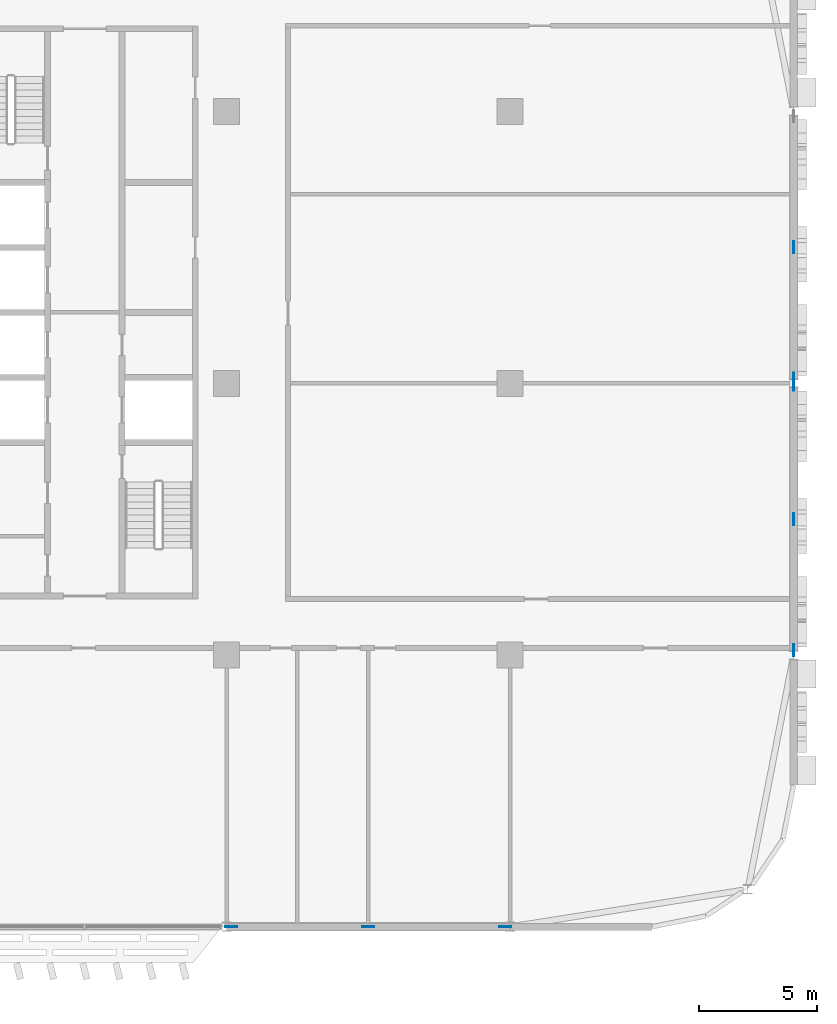
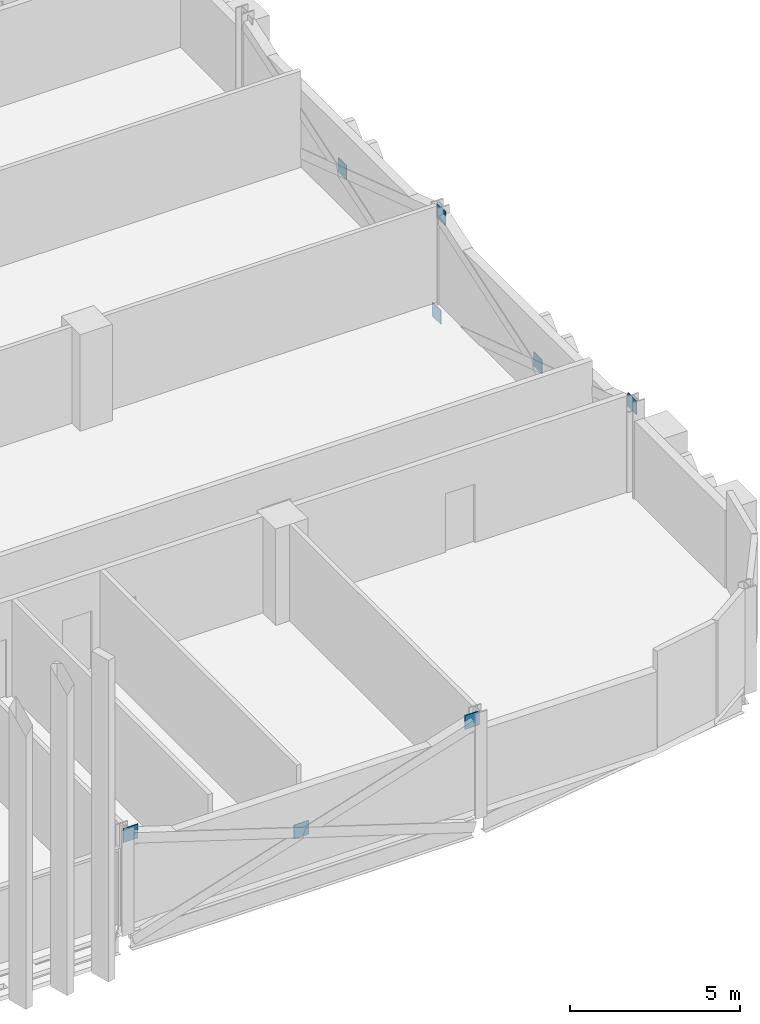
# One storey, part 23 of 30: 8 discrete accessories.
"""IFC4 building model written with IfcOpenShell, lengths in metres."""

import ifcopenshell
import ifcopenshell.guid

model = None  # the IFC model being written
_history = None  # IfcOwnerHistory: only IFC2X3 demands one
_inside = {}  # id of a spatial element -> (the spatial element, [elements in it])
_under = {}  # id of a project, library or spatial element -> (it, [spatial elements below it])
_declared = {}  # id of a project -> (the project, [libraries it declares])
_typed = {}  # id of a type object -> (the type object, [elements of that type])
_made_of = {}  # id of a material, layer set ... -> (it, [elements and type objects made of it])


def new_model(schema):
    """Start an empty IFC model of exactly this schema.

    Asked for "IFC4X3", IfcOpenShell would pick the latest addendum, in which some entities
    have other attributes; the version numbers below select the first issue.
    IFC2X3 requires an IfcOwnerHistory on every rooted entity: one is made here for all.
    """
    global model, _history
    if schema == "IFC4X3":
        model = ifcopenshell.file(schema_version=(4, 3, 0, 0))
    else:
        model = ifcopenshell.file(schema=schema)
    _inside.clear()
    _under.clear()
    _declared.clear()
    _typed.clear()
    _made_of.clear()
    _history = None
    if model.schema == "IFC2X3":
        org = make("IfcOrganization", Name="unknown")
        user = make(
            "IfcPersonAndOrganization",
            ThePerson=make("IfcPerson", FamilyName="unknown"),
            TheOrganization=org,
        )
        app = make(
            "IfcApplication",
            ApplicationDeveloper=org,
            Version="unknown",
            ApplicationFullName="unknown",
            ApplicationIdentifier="unknown",
        )
        _history = make(
            "IfcOwnerHistory",
            OwningUser=user,
            OwningApplication=app,
            ChangeAction="ADDED",
            CreationDate=0,
        )
    return model


def make(cls, **values):
    """One entity of the class cls with the attributes given. An attribute that is None is left unset."""
    return model.create_entity(
        cls, **{name: value for name, value in values.items() if value is not None}
    )


def rooted(cls, **values):
    """An entity with a GlobalId (a new one), such as an element, a storey or a relation."""
    return make(cls, GlobalId=ifcopenshell.guid.new(), OwnerHistory=_history, **values)


def si_unit(unit_type, name, prefix=None):
    """IfcSIUnit, for example si_unit("LENGTHUNIT", "METRE", prefix="MILLI")."""
    return make("IfcSIUnit", UnitType=unit_type, Prefix=prefix, Name=name)


def assignment(units):
    """IfcUnitAssignment: the units of a project."""
    return None if units is None else make("IfcUnitAssignment", Units=units)


def point(xyz):
    """IfcCartesianPoint."""
    return None if xyz is None else make("IfcCartesianPoint", Coordinates=xyz)


def direction(xyz):
    """IfcDirection."""
    return None if xyz is None else make("IfcDirection", DirectionRatios=xyz)


def frame(location, z_axis=None, x_axis=None):
    """IfcAxis2Placement3D, a coordinate frame: its origin and axes. An axis left out is left unset."""
    return make(
        "IfcAxis2Placement3D",
        Location=point(location),
        Axis=direction(z_axis),
        RefDirection=direction(x_axis),
    )


def frame_2d(location, x_axis=None):
    """IfcAxis2Placement2D, a coordinate frame in the plane: its origin and x axis."""
    return make(
        "IfcAxis2Placement2D", Location=point(location), RefDirection=direction(x_axis)
    )


def origin():
    """The frame at (0, 0, 0) with its axes left unset."""
    return frame((0.0, 0.0, 0.0))


def origin_2d():
    """The frame at (0, 0) in the plane with its x axis left unset."""
    return frame_2d((0.0, 0.0))


def place(relative_to, where):
    """IfcLocalPlacement: puts the frame where relative to a parent placement (None: the world)."""
    return make(
        "IfcLocalPlacement", PlacementRelTo=relative_to, RelativePlacement=where
    )


def context(
    kind, dimensions, precision=None, world=None, true_north=None, identifier=None
):
    """IfcGeometricRepresentationContext, for example the 3D "Model" context."""
    return make(
        "IfcGeometricRepresentationContext",
        ContextIdentifier=identifier,
        ContextType=kind,
        CoordinateSpaceDimension=dimensions,
        Precision=precision,
        WorldCoordinateSystem=world,
        TrueNorth=true_north,
    )


def subcontext(parent, identifier, kind, view, scale=None):
    """IfcGeometricRepresentationSubContext, for example "Body" below "Model"."""
    return make(
        "IfcGeometricRepresentationSubContext",
        ContextIdentifier=identifier,
        ContextType=kind,
        ParentContext=parent,
        TargetScale=scale,
        TargetView=view,
    )


def project(units=None, contexts=None):
    """IfcProject with its units and contexts."""
    return rooted(
        "IfcProject",
        Name="project",
        RepresentationContexts=contexts,
        UnitsInContext=assignment(units),
    )


def spatial(cls, under=None, at=None, **own):
    """A site, building, storey or space (cls), placed at a placement, below another one or the project."""
    s = rooted(cls, ObjectPlacement=at, **own)
    if under is not None:
        _under.setdefault(under.id(), (under, []))[1].append(s)
    return s


def profile(cls, at=None, kind="AREA", **sizes):
    """A parametric profile (cls). Its sizes go by their IFC names, for example OverallWidth=200.0."""
    return make(cls, ProfileType=kind, Position=at, **sizes)


def rectangle(**sizes):
    """IfcRectangleProfileDef."""
    return profile("IfcRectangleProfileDef", **sizes)


def extrude(swept, where, along, depth):
    """IfcExtrudedAreaSolid: the profile swept, set in the frame where, extruded along a direction by depth."""
    return make(
        "IfcExtrudedAreaSolid",
        SweptArea=swept,
        Position=where,
        ExtrudedDirection=direction(along),
        Depth=depth,
    )


def shape(context_of_items, identifier, shape_type, items):
    """IfcShapeRepresentation: the items that make up one representation, for example the "Body"."""
    return make(
        "IfcShapeRepresentation",
        ContextOfItems=context_of_items,
        RepresentationIdentifier=identifier,
        RepresentationType=shape_type,
        Items=items,
    )


def material(Name=None, Category=None):
    """IfcMaterial."""
    return make("IfcMaterial", Name=Name, Category=Category)


def layer(
    of_material, thickness, ventilated=None, Name=None, Category=None, Priority=None
):
    """IfcMaterialLayer: one layer of a wall or slab, of a material (None: an air gap)."""
    return make(
        "IfcMaterialLayer",
        Material=of_material,
        LayerThickness=thickness,
        IsVentilated=ventilated,
        Name=Name,
        Category=Category,
        Priority=Priority,
    )


def layer_set(layers, Name=None):
    """IfcMaterialLayerSet."""
    return make("IfcMaterialLayerSet", MaterialLayers=layers, LayerSetName=Name)


def made_of(thing, what):
    """Note that an element or type object is made of a material, layer set ...; save() writes the relation."""
    if what is not None:
        _made_of.setdefault(what.id(), (what, []))[1].append(thing)
    return thing


def type_object(cls, material=None, **own):
    """A type object (cls), such as IfcWallType, which elements share."""
    return made_of(rooted(cls, **own), material)


def element(
    cls,
    number,
    at=None,
    inside=None,
    cuts=None,
    type_object=None,
    material=None,
    context=None,
    identifier="Body",
    shape_type=None,
    held_by="IfcProductDefinitionShape",
    body=None,
    shapes=None,
    **own,
):
    """One element of the class cls, such as IfcWall. Its Tag is "e" and its number.

    at: its placement. inside: the storey or other place that contains it. cuts: it is an
    opening in that element (IfcRelVoidsElement). A single representation is given by context,
    identifier, shape_type and body (its items); several are given by shapes. held_by: the class
    of the entity that holds the representations. save() writes the other relations.
    """
    e = rooted(cls, Tag="e%d" % number, ObjectPlacement=at, **own)
    if body is not None:
        shapes = [shape(context, identifier, shape_type, body)]
    if shapes is not None:
        e.Representation = make(held_by, Representations=shapes)
    if inside is not None:
        _inside.setdefault(inside.id(), (inside, []))[1].append(e)
    if cuts is not None:
        rooted(
            "IfcRelVoidsElement", RelatingBuildingElement=cuts, RelatedOpeningElement=e
        )
    if type_object is not None:
        _typed.setdefault(type_object.id(), (type_object, []))[1].append(e)
    return made_of(e, material)


def aggregate(whole, parts):
    """IfcRelAggregates: a whole, such as a stair, and the parts it consists of."""
    return rooted("IfcRelAggregates", RelatingObject=whole, RelatedObjects=parts)


def save(model, path):
    """Write the relations noted so far, then the file.

    IfcRelAggregates (storeys below a building ...), IfcRelContainedInSpatialStructure (elements
    in a storey), IfcRelDefinesByType, IfcRelAssociatesMaterial and IfcRelDeclares: one each for
    every whole, place, type object, material and project.
    """
    for whole, parts in _under.values():
        aggregate(whole, parts)
    for where, things in _inside.values():
        rooted(
            "IfcRelContainedInSpatialStructure",
            RelatedElements=things,
            RelatingStructure=where,
        )
    for kind, things in _typed.values():
        rooted("IfcRelDefinesByType", RelatedObjects=things, RelatingType=kind)
    for what, things in _made_of.values():
        rooted("IfcRelAssociatesMaterial", RelatedObjects=things, RelatingMaterial=what)
    for by, libraries in _declared.values():
        rooted("IfcRelDeclares", RelatingContext=by, RelatedDefinitions=libraries)
    model.write(path)


model = new_model("IFC4")

# Units and contexts
model_context = context("Model", 3, precision=1e-05, world=origin(), true_north=direction((0.0, 1.0)))
body_context = subcontext(model_context, "Body", "Model", "MODEL_VIEW")
ifc_project = project(units=[si_unit("LENGTHUNIT", "METRE"), si_unit("AREAUNIT", "SQUARE_METRE"), si_unit("VOLUMEUNIT", "CUBIC_METRE"), si_unit("PLANEANGLEUNIT", "RADIAN"), si_unit("MASSUNIT", "GRAM", prefix="KILO")], contexts=[model_context])

# Site, building, storey
site_placement = place(None, origin())
site = spatial("IfcSite", under=ifc_project, at=site_placement, CompositionType="ELEMENT")
building_placement = place(site_placement, origin())
building = spatial("IfcBuilding", under=site, at=building_placement, Name="Mahtab Terrace Research Tower", CompositionType="ELEMENT")
storey_placement = place(building_placement, frame((0.0, 0.0, 209.10009765625)))
storey = spatial("IfcBuildingStorey", under=building, at=storey_placement, Name="L50", CompositionType="ELEMENT", Elevation=209.10009765625)

# Discrete accessories
ifc_material = material(Name="Steel ASTM A992 Gr 50", Category="steel")
ifc_layer = layer(ifc_material, 0.030029296875)
ifc_layer_set = layer_set([ifc_layer], Name="Gusset plate 500x500x30")
discrete_accessory_type = type_object("IfcDiscreteAccessoryType", Name="Gusset plate 500x500x30", PredefinedType="USERDEFINED", material=ifc_layer_set)
for number, where, z_axis, x_axis, name in (
    (1, (30.20068359375, -23.0, 2.870849609375), (0.0, 0.0, 1.0), (1.0, 0.0, 0.0), "Gusset plate"),
    (2, (36.0, -23.0, 0.970703125), (0.0, 0.0, 1.0), (1.0, 0.0, 0.0), "Gusset plate"),
    (3, (41.79931640625, -23.0, 2.870849609375), (0.0, 0.0, 1.0), (1.0, 0.0, 0.0), "Gusset plate"),
    (4, (54.0, -11.300537109375, 2.870849609375), (0.0, 0.0, 1.0), (0.0, 1.0, 0.0), "Gusset plate"),
    (5, (54.0, -5.75, 0.970703125), (0.0, 0.0, 1.0), (0.0, 1.0, 0.0), "Gusset plate"),
    (6, (54.0, -0.06640625, 2.848876953125), (0.0, 0.0, 1.0), (0.0, 1.0, 0.0), "Gusset plate"),
    (7, (54.0, 0.199462890625, -0.86328125), (0.0, 0.0, 1.0), (0.0, 1.0, 0.0), "Gusset plate"),
    (8, (54.0, 5.75, 0.970703125), (0.0, 0.0, 1.0), (0.0, 1.0, 0.0), "Gusset plate"),
):
    element("IfcDiscreteAccessory", number, at=place(storey_placement, frame(where, z_axis=z_axis, x_axis=x_axis)), inside=storey, type_object=discrete_accessory_type, Name=name, ObjectType="GUSSET PLATE", PredefinedType="USERDEFINED", context=body_context, shape_type="SweptSolid", body=[
        extrude(rectangle(XDim=0.5, YDim=0.030029296875, at=origin_2d()), origin(), (0.0, 0.0, 1.0), 0.5),
    ])

save(model, "model.ifc")
